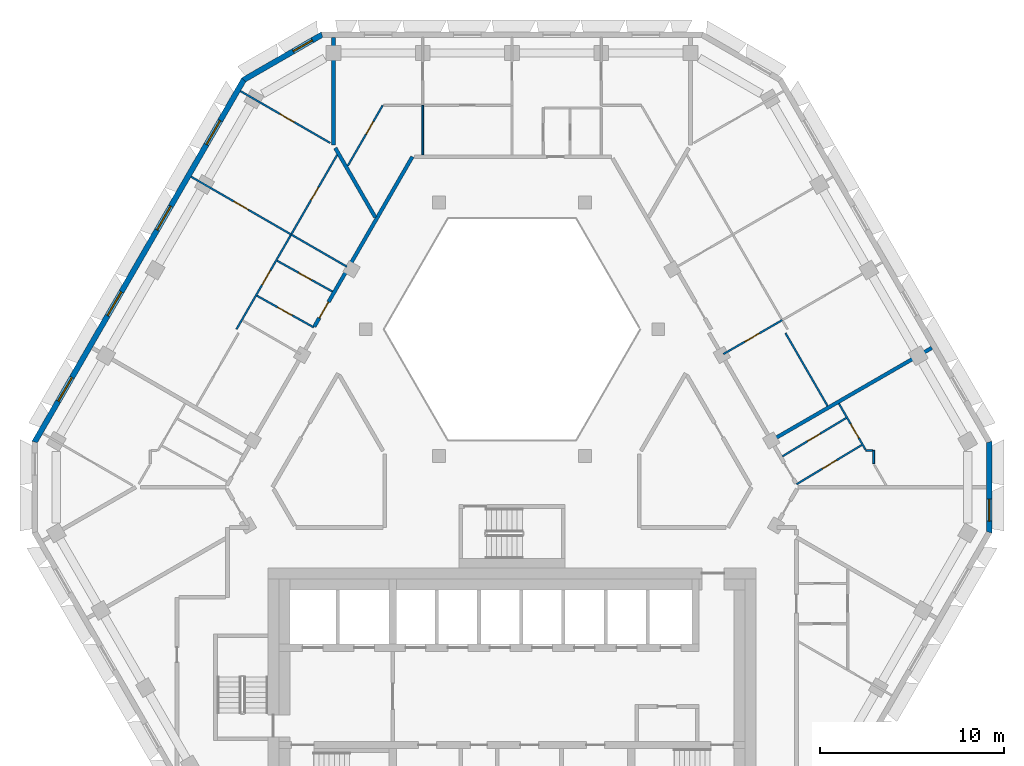
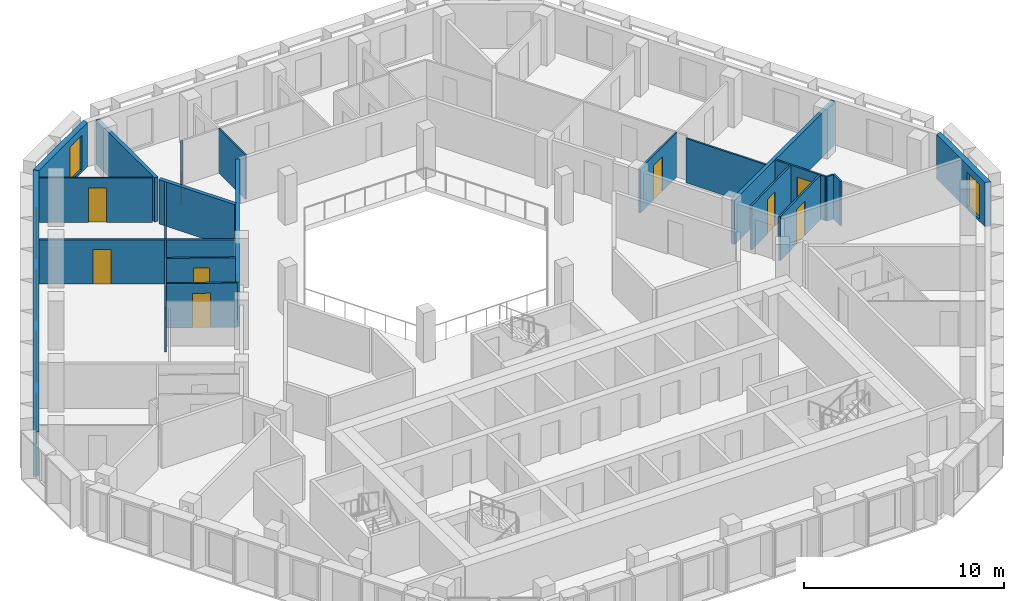
# One storey, part 6 of 15: 22 walls, 12 doors, 6 windows, 18 openings.
"""IFC4 building model written with IfcOpenShell, lengths in metres."""

from ifc_helpers import new_model, si_unit, direction, frame, frame_2d, origin, place, context, subcontext, project, spatial, polyline, rectangle, outline, extrude, material, layer, layer_set, type_object, element, fill, save


model = new_model("IFC4")

# Units and contexts
model_context = context("Model", 3, precision=1e-05, world=origin(), true_north=direction((0.0, 1.0)))
body_context = subcontext(model_context, "Body", "Model", "MODEL_VIEW")
ifc_project = project(units=[si_unit("LENGTHUNIT", "METRE"), si_unit("AREAUNIT", "SQUARE_METRE"), si_unit("VOLUMEUNIT", "CUBIC_METRE"), si_unit("PLANEANGLEUNIT", "RADIAN"), si_unit("MASSUNIT", "GRAM", prefix="KILO")], contexts=[model_context])

# Site, building, storey
site_placement = place(None, origin())
site = spatial("IfcSite", under=ifc_project, at=site_placement, CompositionType="ELEMENT")
building_placement = place(site_placement, origin())
building = spatial("IfcBuilding", under=site, at=building_placement, Name="Beryl Residences", CompositionType="ELEMENT")
storey_placement = place(building_placement, frame((0.0, 0.0, 187.199951171875)))
storey = spatial("IfcBuildingStorey", under=building, at=storey_placement, Name="L57", CompositionType="ELEMENT", Elevation=187.199951171875)

# Wall, opening, window
ifc_material_1 = material(Name="Composite metal panel with mineral wool insulation")
ifc_layer_1 = layer(ifc_material_1, 0.300048828125)
ifc_layer_set_1 = layer_set([ifc_layer_1], Name="ES1 pale metal composite panel wall 300 mm")
wall_type_1 = type_object("IfcWallType", Name="ES1 pale metal composite panel wall 300 mm", PredefinedType="SOLIDWALL", material=ifc_layer_set_1)
wall_1_placement = place(storey_placement, frame((-10.31689453125, 24.070068359375, 0.0), z_axis=(0.0, 0.0, 1.0), x_axis=(-0.866022959057, -0.500004234368, 0.0)))
wall_1 = element("IfcWall", 1, at=wall_1_placement, inside=storey, type_object=wall_type_1, Name="ES1 external wall L57 N-NW", PredefinedType="SOLIDWALL", context=body_context, shape_type="SweptSolid", body=[
    extrude(outline(polyline([(0.0, -0.14990234375), (5.0, -0.14990234375), (4.919677734375, 0.14990234375), (0.080322265625, 0.14990234375), (0.0, -0.14990234375)])), origin(), (0.0, 0.0, 1.0), 2.699951171875),
])
opening_1_placement = place(wall_1_placement, frame((0.64990234375, 0.0, 0.14990234375)))
opening_1 = element("IfcOpeningElement", 2, at=opening_1_placement, cuts=wall_1, Name="Opening W2", PredefinedType="OPENING", context=body_context, shape_type="SweptSolid", body=[
    extrude(rectangle(XDim=1.199951171875, YDim=2.10009765625, at=frame_2d((0.60009765625, 1.050048828125))), frame((0.0, 0.159912109375, 0.0), z_axis=(0.0, -1.0, 0.0), x_axis=(1.0, 0.0, 0.0)), (0.0, 0.0, 1.0), 0.320068359375),
])
ifc_material_2 = material(Name="Aluminium and clear glass", Category="aluminium")
window_type_1 = type_object("IfcWindowType", Name="W2 chamfer window 1200 x 2100 mm", PartitioningType="SINGLE_PANEL", PredefinedType="WINDOW", material=ifc_material_2)
window_1_placement = place(opening_1_placement, origin())
window_1 = element("IfcWindow", 3, at=window_1_placement, inside=storey, type_object=window_type_1, Name="W2 window L57 N-NW 1", OverallHeight=2.10009765625, OverallWidth=1.199951171875, PartitioningType="SINGLE_PANEL", PredefinedType="WINDOW", context=body_context, shape_type="SweptSolid", body=[
    extrude(rectangle(XDim=1.199951171875, YDim=2.10009765625, at=frame_2d((0.60009765625, 1.050048828125))), frame((0.0, 0.030029296875, 0.0), z_axis=(0.0, -1.0, 0.0), x_axis=(1.0, 0.0, 0.0)), (0.0, 0.0, 1.0), 0.06005859375),
])
fill(opening_1, window_1)

# Wall, openings, windows
wall_2_placement = place(storey_placement, frame((-14.592041015625, 21.625, 0.0), z_axis=(0.0, 0.0, 1.0), x_axis=(-0.500010537973, -0.866019319597, 0.0)))
wall_2 = element("IfcWall", 4, at=wall_2_placement, inside=storey, type_object=wall_type_1, Name="ES1 external wall L57 NW", PredefinedType="SOLIDWALL", context=body_context, shape_type="SweptSolid", body=[
    extrude(outline(polyline([(0.0, -0.14990234375), (22.86328125, -0.14990234375), (22.782958984375, 0.14990234375), (0.080322265625, 0.14990234375), (0.0, -0.14990234375)])), origin(), (0.0, 0.0, 1.0), 2.699951171875),
])
opening_2_placement = place(wall_2_placement, frame((2.60595703125, 0.0, 0.14990234375)))
opening_2 = element("IfcOpeningElement", 5, at=opening_2_placement, cuts=wall_2, Name="Opening W1", PredefinedType="OPENING", context=body_context, shape_type="SweptSolid", body=[
    extrude(rectangle(XDim=1.5, YDim=2.10009765625, at=frame_2d((0.75, 1.050048828125))), frame((0.0, 0.159912109375, 0.0), z_axis=(0.0, -1.0, 0.0), x_axis=(1.0, 0.0, 0.0)), (0.0, 0.0, 1.0), 0.320068359375),
])
opening_3_placement = place(wall_2_placement, frame((7.989990234375, 0.0, 0.14990234375)))
opening_3 = element("IfcOpeningElement", 6, at=opening_3_placement, cuts=wall_2, Name="Opening W1", PredefinedType="OPENING", context=body_context, shape_type="SweptSolid", body=[
    extrude(rectangle(XDim=1.5, YDim=2.10009765625, at=frame_2d((0.75, 1.050048828125))), frame((0.0, 0.159912109375, 0.0), z_axis=(0.0, -1.0, 0.0), x_axis=(1.0, 0.0, 0.0)), (0.0, 0.0, 1.0), 0.320068359375),
])
opening_4_placement = place(wall_2_placement, frame((13.373046875, 0.0, 0.14990234375)))
opening_4 = element("IfcOpeningElement", 7, at=opening_4_placement, cuts=wall_2, Name="Opening W1", PredefinedType="OPENING", context=body_context, shape_type="SweptSolid", body=[
    extrude(rectangle(XDim=1.5, YDim=2.10009765625, at=frame_2d((0.75, 1.050048828125))), frame((0.0, 0.159912109375, 0.0), z_axis=(0.0, -1.0, 0.0), x_axis=(1.0, 0.0, 0.0)), (0.0, 0.0, 1.0), 0.320068359375),
])
opening_5_placement = place(wall_2_placement, frame((18.758056640625, 0.0, 0.14990234375)))
opening_5 = element("IfcOpeningElement", 8, at=opening_5_placement, cuts=wall_2, Name="Opening W1", PredefinedType="OPENING", context=body_context, shape_type="SweptSolid", body=[
    extrude(rectangle(XDim=1.5, YDim=2.10009765625, at=frame_2d((0.75, 1.050048828125))), frame((0.0, 0.159912109375, 0.0), z_axis=(0.0, -1.0, 0.0), x_axis=(1.0, 0.0, 0.0)), (0.0, 0.0, 1.0), 0.320068359375),
])
ifc_material_3 = material(Name="Aluminium and clear glass", Category="aluminium")
window_type_2 = type_object("IfcWindowType", Name="W1 cell window 1500 x 2100 mm", PartitioningType="SINGLE_PANEL", PredefinedType="WINDOW", material=ifc_material_3)
window_2_placement = place(opening_2_placement, origin())
window_2 = element("IfcWindow", 9, at=window_2_placement, inside=storey, type_object=window_type_2, Name="W1 window L57 NW 2", OverallHeight=2.10009765625, OverallWidth=1.5, PartitioningType="SINGLE_PANEL", PredefinedType="WINDOW", context=body_context, shape_type="SweptSolid", body=[
    extrude(rectangle(XDim=1.5, YDim=2.10009765625, at=frame_2d((0.75, 1.050048828125))), frame((0.0, 0.030029296875, 0.0), z_axis=(0.0, -1.0, 0.0), x_axis=(1.0, 0.0, 0.0)), (0.0, 0.0, 1.0), 0.06005859375),
])
fill(opening_2, window_2)
window_3_placement = place(opening_3_placement, origin())
window_3 = element("IfcWindow", 10, at=window_3_placement, inside=storey, type_object=window_type_2, Name="W1 window L57 NW 4", OverallHeight=2.10009765625, OverallWidth=1.5, PartitioningType="SINGLE_PANEL", PredefinedType="WINDOW", context=body_context, shape_type="SweptSolid", body=[
    extrude(rectangle(XDim=1.5, YDim=2.10009765625, at=frame_2d((0.75, 1.050048828125))), frame((0.0, 0.030029296875, 0.0), z_axis=(0.0, -1.0, 0.0), x_axis=(1.0, 0.0, 0.0)), (0.0, 0.0, 1.0), 0.06005859375),
])
fill(opening_3, window_3)
window_4_placement = place(opening_4_placement, origin())
window_4 = element("IfcWindow", 11, at=window_4_placement, inside=storey, type_object=window_type_2, Name="W1 window L57 NW 6", OverallHeight=2.10009765625, OverallWidth=1.5, PartitioningType="SINGLE_PANEL", PredefinedType="WINDOW", context=body_context, shape_type="SweptSolid", body=[
    extrude(rectangle(XDim=1.5, YDim=2.10009765625, at=frame_2d((0.75, 1.050048828125))), frame((0.0, 0.030029296875, 0.0), z_axis=(0.0, -1.0, 0.0), x_axis=(1.0, 0.0, 0.0)), (0.0, 0.0, 1.0), 0.06005859375),
])
fill(opening_4, window_4)
window_5_placement = place(opening_5_placement, origin())
window_5 = element("IfcWindow", 12, at=window_5_placement, inside=storey, type_object=window_type_2, Name="W1 window L57 NW 8", OverallHeight=2.10009765625, OverallWidth=1.5, PartitioningType="SINGLE_PANEL", PredefinedType="WINDOW", context=body_context, shape_type="SweptSolid", body=[
    extrude(rectangle(XDim=1.5, YDim=2.10009765625, at=frame_2d((0.75, 1.050048828125))), frame((0.0, 0.030029296875, 0.0), z_axis=(0.0, -1.0, 0.0), x_axis=(1.0, 0.0, 0.0)), (0.0, 0.0, 1.0), 0.06005859375),
])
fill(opening_5, window_5)

# Wall, opening, window
wall_3_placement = place(storey_placement, frame((26.00390625, -3.10009765625, 0.0), z_axis=(0.0, 0.0, 1.0), x_axis=(0.0, 1.0, 0.0)))
wall_3 = element("IfcWall", 13, at=wall_3_placement, inside=storey, type_object=wall_type_1, Name="ES1 external wall L57 SE-NE", PredefinedType="SOLIDWALL", context=body_context, shape_type="SweptSolid", body=[
    extrude(outline(polyline([(0.0, -0.14990234375), (5.0, -0.14990234375), (4.919677734375, 0.14990234375), (0.080322265625, 0.14990234375), (0.0, -0.14990234375)])), origin(), (0.0, 0.0, 1.0), 2.699951171875),
])
opening_6_placement = place(wall_3_placement, frame((0.64990234375, 0.0, 0.14990234375)))
opening_6 = element("IfcOpeningElement", 14, at=opening_6_placement, cuts=wall_3, Name="Opening W2", PredefinedType="OPENING", context=body_context, shape_type="SweptSolid", body=[
    extrude(rectangle(XDim=1.199951171875, YDim=2.10009765625, at=frame_2d((0.60009765625, 1.050048828125))), frame((0.0, 0.159912109375, 0.0), z_axis=(0.0, -1.0, 0.0), x_axis=(1.0, 0.0, 0.0)), (0.0, 0.0, 1.0), 0.320068359375),
])
window_6_placement = place(opening_6_placement, origin())
window_6 = element("IfcWindow", 15, at=window_6_placement, inside=storey, type_object=window_type_1, Name="W2 window L57 SE-NE 1", OverallHeight=2.10009765625, OverallWidth=1.199951171875, PartitioningType="SINGLE_PANEL", PredefinedType="WINDOW", context=body_context, shape_type="SweptSolid", body=[
    extrude(rectangle(XDim=1.199951171875, YDim=2.10009765625, at=frame_2d((0.60009765625, 1.050048828125))), frame((0.0, 0.030029296875, 0.0), z_axis=(0.0, -1.0, 0.0), x_axis=(1.0, 0.0, 0.0)), (0.0, 0.0, 1.0), 0.06005859375),
])
fill(opening_6, window_6)

# Wall
ifc_material_4 = material(Name="Gypsum board partition on steel studs", Category="steel")
ifc_layer_2 = layer(ifc_material_4, 0.10009765625)
ifc_layer_set_2 = layer_set([ifc_layer_2], Name="PT1 partition 100 mm gypsum board on steel studs")
wall_type_2 = type_object("IfcWallType", Name="PT1 partition 100 mm gypsum board on steel studs", PredefinedType="PARTITIONING", material=ifc_layer_set_2)
wall_4_placement = place(storey_placement, frame((14.89501953125, 7.800048828125, 0.0), z_axis=(0.0, 0.0, 1.0), x_axis=(0.500050787847, -0.865996079421, 0.0)))
element("IfcWall", 16, at=wall_4_placement, inside=storey, type_object=wall_type_2, Name="Wall PT1 L57 002", PredefinedType="PARTITIONING", context=body_context, shape_type="SweptSolid", body=[
    extrude(rectangle(XDim=4.59130859375, YDim=0.10009765625, at=frame_2d((2.295654296875, 0.0))), origin(), (0.0, 0.0, 1.0), 2.699951171875),
])

# Wall, opening, door
wall_5_placement = place(storey_placement, frame((17.81103515625, 3.950927734375, 0.0), z_axis=(0.0, 0.0, 1.0), x_axis=(0.499976149225, -0.866039173598, 0.0)))
wall_5 = element("IfcWall", 17, at=wall_5_placement, inside=storey, type_object=wall_type_2, Name="Wall PT1 L57 004", PredefinedType="PARTITIONING", context=body_context, shape_type="SweptSolid", body=[
    extrude(rectangle(XDim=2.887939453125, YDim=0.10009765625, at=frame_2d((1.44384765625, 0.0))), origin(), (0.0, 0.0, 1.0), 2.699951171875),
])
opening_7_placement = place(wall_5_placement, frame((1.27587890625, 0.0, 0.0)))
opening_7 = element("IfcOpeningElement", 18, at=opening_7_placement, cuts=wall_5, Name="Opening D1741", PredefinedType="OPENING", context=body_context, shape_type="SweptSolid", body=[
    extrude(rectangle(XDim=0.89990234375, YDim=2.10009765625, at=frame_2d((0.449951171875, 1.050048828125))), frame((0.0, 0.06005859375, 0.0), z_axis=(0.0, -1.0, 0.0), x_axis=(1.0, 0.0, 0.0)), (0.0, 0.0, 1.0), 0.1201171875),
])
ifc_material_5 = material(Name="Timber door leaf", Category="wood")
door_type_1 = type_object("IfcDoorType", Name="D2 room door 900 x 2100 mm", OperationType="SINGLE_SWING_LEFT", PredefinedType="DOOR", material=ifc_material_5)
door_1_placement = place(opening_7_placement, origin())
door_1 = element("IfcDoor", 19, at=door_1_placement, inside=storey, type_object=door_type_1, Name="Door D1741 L57 001", OperationType="SINGLE_SWING_LEFT", OverallHeight=2.10009765625, OverallWidth=0.89990234375, PredefinedType="DOOR", context=body_context, shape_type="SweptSolid", body=[
    extrude(rectangle(XDim=0.89990234375, YDim=2.10009765625, at=frame_2d((0.449951171875, 1.050048828125))), frame((0.0, 0.02490234375, 0.0), z_axis=(0.0, -1.0, 0.0), x_axis=(1.0, 0.0, 0.0)), (0.0, 0.0, 1.0), 0.050048828125),
])
fill(opening_7, door_1)

wall_6_placement = place(storey_placement, frame((-12.798095703125, 11.735107421875, 0.0), z_axis=(0.0, 0.0, 1.0), x_axis=(0.873649600774, -0.486555623816, 0.0)))
wall_6 = element("IfcWall", 20, at=wall_6_placement, inside=storey, type_object=wall_type_2, Name="Wall PT1 L57 010", PredefinedType="PARTITIONING", context=body_context, shape_type="SweptSolid", body=[
    extrude(rectangle(XDim=3.451171875, YDim=0.10009765625, at=frame_2d((1.7255859375, 0.0))), origin(), (0.0, 0.0, 1.0), 2.699951171875),
])
opening_8_placement = place(wall_6_placement, frame((1.35009765625, 0.0, 0.0)))
opening_8 = element("IfcOpeningElement", 21, at=opening_8_placement, cuts=wall_6, Name="Opening D1718", PredefinedType="OPENING", context=body_context, shape_type="SweptSolid", body=[
    extrude(rectangle(XDim=0.800048828125, YDim=2.10009765625, at=frame_2d((0.39990234375, 1.050048828125))), frame((0.0, 0.06005859375, 0.0), z_axis=(0.0, -1.0, 0.0), x_axis=(1.0, 0.0, 0.0)), (0.0, 0.0, 1.0), 0.1201171875),
])
ifc_material_6 = material(Name="Timber door leaf", Category="wood")
door_type_2 = type_object("IfcDoorType", Name="D3 bathroom door 800 x 2100 mm", OperationType="SINGLE_SWING_LEFT", PredefinedType="DOOR", material=ifc_material_6)
door_2_placement = place(opening_8_placement, origin())
door_2 = element("IfcDoor", 22, at=door_2_placement, inside=storey, type_object=door_type_2, Name="Door D1718 L57 001", OperationType="SINGLE_SWING_RIGHT", OverallHeight=2.10009765625, OverallWidth=0.800048828125, PredefinedType="DOOR", context=body_context, shape_type="SweptSolid", body=[
    extrude(rectangle(XDim=0.800048828125, YDim=2.10009765625, at=frame_2d((0.39990234375, 1.050048828125))), frame((0.0, 0.02490234375, 0.0), z_axis=(0.0, -1.0, 0.0), x_axis=(1.0, 0.0, 0.0)), (0.0, 0.0, 1.0), 0.050048828125),
])
fill(opening_8, door_2)

wall_7_placement = place(storey_placement, frame((-13.89794921875, 9.8291015625, 0.0), z_axis=(0.0, 0.0, 1.0), x_axis=(0.873715787747, -0.486436760784, 0.0)))
wall_7 = element("IfcWall", 23, at=wall_7_placement, inside=storey, type_object=wall_type_2, Name="Wall PT1 L57 011", PredefinedType="PARTITIONING", context=body_context, shape_type="SweptSolid", body=[
    extrude(rectangle(XDim=3.55029296875, YDim=0.10009765625, at=frame_2d((1.775146484375, 0.0))), origin(), (0.0, 0.0, 1.0), 2.699951171875),
])
opening_9_placement = place(wall_7_placement, frame((1.300048828125, 0.0, 0.0)))
opening_9 = element("IfcOpeningElement", 24, at=opening_9_placement, cuts=wall_7, Name="Opening D1719", PredefinedType="OPENING", context=body_context, shape_type="SweptSolid", body=[
    extrude(rectangle(XDim=0.89990234375, YDim=2.10009765625, at=frame_2d((0.449951171875, 1.050048828125))), frame((0.0, 0.06005859375, 0.0), z_axis=(0.0, -1.0, 0.0), x_axis=(1.0, 0.0, 0.0)), (0.0, 0.0, 1.0), 0.1201171875),
])
door_3_placement = place(opening_9_placement, origin())
door_3 = element("IfcDoor", 25, at=door_3_placement, inside=storey, type_object=door_type_1, Name="Door D1719 L57 001", OperationType="SINGLE_SWING_LEFT", OverallHeight=2.10009765625, OverallWidth=0.89990234375, PredefinedType="DOOR", context=body_context, shape_type="SweptSolid", body=[
    extrude(rectangle(XDim=0.89990234375, YDim=2.10009765625, at=frame_2d((0.449951171875, 1.050048828125))), frame((0.0, 0.02490234375, 0.0), z_axis=(0.0, -1.0, 0.0), x_axis=(1.0, 0.0, 0.0)), (0.0, 0.0, 1.0), 0.050048828125),
])
fill(opening_9, door_3)

wall_8_placement = place(storey_placement, frame((-17.486083984375, 16.31298828125, 0.0), z_axis=(0.0, 0.0, 1.0), x_axis=(0.865997114097, -0.500048995975, 0.0)))
wall_8 = element("IfcWall", 26, at=wall_8_placement, inside=storey, type_object=wall_type_2, Name="Wall PT1 L57 015", PredefinedType="PARTITIONING", context=body_context, shape_type="SweptSolid", body=[
    extrude(rectangle(XDim=6.299072265625, YDim=0.10009765625, at=frame_2d((3.1494140625, 0.0))), origin(), (0.0, 0.0, 1.0), 2.699951171875),
])
opening_10_placement = place(wall_8_placement, frame((2.698974609375, 0.0, 0.0)))
opening_10 = element("IfcOpeningElement", 27, at=opening_10_placement, cuts=wall_8, Name="Opening D1721", PredefinedType="OPENING", context=body_context, shape_type="SweptSolid", body=[
    extrude(rectangle(XDim=0.89990234375, YDim=2.10009765625, at=frame_2d((0.449951171875, 1.050048828125))), frame((0.0, 0.06005859375, 0.0), z_axis=(0.0, -1.0, 0.0), x_axis=(1.0, 0.0, 0.0)), (0.0, 0.0, 1.0), 0.1201171875),
])
door_4_placement = place(opening_10_placement, origin())
door_4 = element("IfcDoor", 28, at=door_4_placement, inside=storey, type_object=door_type_1, Name="Door D1721 L57 001", OperationType="SINGLE_SWING_LEFT", OverallHeight=2.10009765625, OverallWidth=0.89990234375, PredefinedType="DOOR", context=body_context, shape_type="SweptSolid", body=[
    extrude(rectangle(XDim=0.89990234375, YDim=2.10009765625, at=frame_2d((0.449951171875, 1.050048828125))), frame((0.0, 0.02490234375, 0.0), z_axis=(0.0, -1.0, 0.0), x_axis=(1.0, 0.0, 0.0)), (0.0, 0.0, 1.0), 0.050048828125),
])
fill(opening_10, door_4)

wall_9_placement = place(storey_placement, frame((-14.7939453125, 20.97509765625, 0.0), z_axis=(0.0, 0.0, 1.0), x_axis=(0.866011447264, -0.500024172624, 0.0)))
wall_9 = element("IfcWall", 29, at=wall_9_placement, inside=storey, type_object=wall_type_2, Name="Wall PT1 L57 016", PredefinedType="PARTITIONING", context=body_context, shape_type="SweptSolid", body=[
    extrude(rectangle(XDim=5.650146484375, YDim=0.10009765625, at=frame_2d((2.8251953125, 0.0))), origin(), (0.0, 0.0, 1.0), 2.699951171875),
])
opening_11_placement = place(wall_9_placement, frame((2.47509765625, 0.0, 0.0)))
opening_11 = element("IfcOpeningElement", 30, at=opening_11_placement, cuts=wall_9, Name="Opening D1723", PredefinedType="OPENING", context=body_context, shape_type="SweptSolid", body=[
    extrude(rectangle(XDim=0.89990234375, YDim=2.10009765625, at=frame_2d((0.449951171875, 1.050048828125))), frame((0.0, 0.06005859375, 0.0), z_axis=(0.0, -1.0, 0.0), x_axis=(1.0, 0.0, 0.0)), (0.0, 0.0, 1.0), 0.1201171875),
])
door_5_placement = place(opening_11_placement, origin())
door_5 = element("IfcDoor", 31, at=door_5_placement, inside=storey, type_object=door_type_1, Name="Door D1723 L57 001", OperationType="SINGLE_SWING_LEFT", OverallHeight=2.10009765625, OverallWidth=0.89990234375, PredefinedType="DOOR", context=body_context, shape_type="SweptSolid", body=[
    extrude(rectangle(XDim=0.89990234375, YDim=2.10009765625, at=frame_2d((0.449951171875, 1.050048828125))), frame((0.0, 0.02490234375, 0.0), z_axis=(0.0, -1.0, 0.0), x_axis=(1.0, 0.0, 0.0)), (0.0, 0.0, 1.0), 0.050048828125),
])
fill(opening_11, door_5)

# Wall
wall_10_placement = place(storey_placement, frame((19.283935546875, 1.39990234375, 0.0), z_axis=(0.0, 0.0, 1.0), x_axis=(1.0, 0.0, 0.0)))
element("IfcWall", 32, at=wall_10_placement, inside=storey, type_object=wall_type_2, Name="Wall PT1 L57 020", PredefinedType="PARTITIONING", context=body_context, shape_type="SweptSolid", body=[
    extrude(rectangle(XDim=0.365966796875, YDim=0.10009765625, at=frame_2d((0.18310546875, 0.0))), origin(), (0.0, 0.0, 1.0), 2.699951171875),
])

# Wall, opening, door
wall_11_placement = place(storey_placement, frame((-8.948974609375, 16.89990234375, 0.0), z_axis=(0.0, 0.0, 1.0), x_axis=(0.499949850951, 0.866054355415, 0.0)))
wall_11 = element("IfcWall", 33, at=wall_11_placement, inside=storey, type_object=wall_type_2, Name="Wall PT1 L57 024", PredefinedType="PARTITIONING", context=body_context, shape_type="SweptSolid", body=[
    extrude(rectangle(XDim=3.810546875, YDim=0.10009765625, at=frame_2d((1.9052734375, 0.0))), origin(), (0.0, 0.0, 1.0), 2.699951171875),
])
opening_12_placement = place(wall_11_placement, frame((1.991943359375, 0.0, 0.0)))
opening_12 = element("IfcOpeningElement", 34, at=opening_12_placement, cuts=wall_11, Name="Opening D1716", PredefinedType="OPENING", context=body_context, shape_type="SweptSolid", body=[
    extrude(rectangle(XDim=0.800048828125, YDim=2.10009765625, at=frame_2d((0.39990234375, 1.050048828125))), frame((0.0, 0.06005859375, 0.0), z_axis=(0.0, -1.0, 0.0), x_axis=(1.0, 0.0, 0.0)), (0.0, 0.0, 1.0), 0.1201171875),
])
door_6_placement = place(opening_12_placement, origin())
door_6 = element("IfcDoor", 35, at=door_6_placement, inside=storey, type_object=door_type_2, Name="Door D1716 L57 001", OperationType="SINGLE_SWING_RIGHT", OverallHeight=2.10009765625, OverallWidth=0.800048828125, PredefinedType="DOOR", context=body_context, shape_type="SweptSolid", body=[
    extrude(rectangle(XDim=0.800048828125, YDim=2.10009765625, at=frame_2d((0.39990234375, 1.050048828125))), frame((0.0, 0.02490234375, 0.0), z_axis=(0.0, -1.0, 0.0), x_axis=(1.0, 0.0, 0.0)), (0.0, 0.0, 1.0), 0.050048828125),
])
fill(opening_12, door_6)

# Wall, openings, doors
wall_12_placement = place(storey_placement, frame((-15.011962890625, 8.0, 0.0), z_axis=(0.0, 0.0, 1.0), x_axis=(0.500047346826, 0.865998066356, 0.0)))
wall_12 = element("IfcWall", 36, at=wall_12_placement, inside=storey, type_object=wall_type_2, Name="Wall PT1 L57 026", PredefinedType="PARTITIONING", context=body_context, shape_type="SweptSolid", body=[
    extrude(rectangle(XDim=10.97119140625, YDim=0.10009765625, at=frame_2d((5.485595703125, 0.0))), origin(), (0.0, 0.0, 1.0), 2.699951171875),
])
opening_13_placement = place(wall_12_placement, frame((2.791015625, 0.0, 0.0)))
opening_13 = element("IfcOpeningElement", 37, at=opening_13_placement, cuts=wall_12, Name="Opening D1720", PredefinedType="OPENING", context=body_context, shape_type="SweptSolid", body=[
    extrude(rectangle(XDim=0.89990234375, YDim=2.10009765625, at=frame_2d((0.449951171875, 1.050048828125))), frame((0.0, 0.06005859375, 0.0), z_axis=(0.0, -1.0, 0.0), x_axis=(1.0, 0.0, 0.0)), (0.0, 0.0, 1.0), 0.1201171875),
])
opening_14_placement = place(wall_12_placement, frame((8.1240234375, 0.0, 0.0)))
opening_14 = element("IfcOpeningElement", 38, at=opening_14_placement, cuts=wall_12, Name="Opening D1724", PredefinedType="OPENING", context=body_context, shape_type="SweptSolid", body=[
    extrude(rectangle(XDim=0.800048828125, YDim=2.10009765625, at=frame_2d((0.39990234375, 1.050048828125))), frame((0.0, 0.06005859375, 0.0), z_axis=(0.0, -1.0, 0.0), x_axis=(1.0, 0.0, 0.0)), (0.0, 0.0, 1.0), 0.1201171875),
])
door_7_placement = place(opening_13_placement, origin())
door_7 = element("IfcDoor", 39, at=door_7_placement, inside=storey, type_object=door_type_1, Name="Door D1720 L57 001", OperationType="SINGLE_SWING_RIGHT", OverallHeight=2.10009765625, OverallWidth=0.89990234375, PredefinedType="DOOR", context=body_context, shape_type="SweptSolid", body=[
    extrude(rectangle(XDim=0.89990234375, YDim=2.10009765625, at=frame_2d((0.449951171875, 1.050048828125))), frame((0.0, 0.02490234375, 0.0), z_axis=(0.0, -1.0, 0.0), x_axis=(1.0, 0.0, 0.0)), (0.0, 0.0, 1.0), 0.050048828125),
])
fill(opening_13, door_7)
door_8_placement = place(opening_14_placement, origin())
door_8 = element("IfcDoor", 40, at=door_8_placement, inside=storey, type_object=door_type_2, Name="Door D1724 L57 001", OperationType="SINGLE_SWING_RIGHT", OverallHeight=2.10009765625, OverallWidth=0.800048828125, PredefinedType="DOOR", context=body_context, shape_type="SweptSolid", body=[
    extrude(rectangle(XDim=0.800048828125, YDim=2.10009765625, at=frame_2d((0.39990234375, 1.050048828125))), frame((0.0, 0.02490234375, 0.0), z_axis=(0.0, -1.0, 0.0), x_axis=(1.0, 0.0, 0.0)), (0.0, 0.0, 1.0), 0.050048828125),
])
fill(opening_14, door_8)

# Walls
wall_13_placement = place(storey_placement, frame((19.699951171875, 0.678955078125, 0.0), z_axis=(0.0, 0.0, 1.0), x_axis=(0.0, 1.0, 0.0)))
element("IfcWall", 41, at=wall_13_placement, inside=storey, type_object=wall_type_2, Name="Wall PT1 L57 033", PredefinedType="PARTITIONING", context=body_context, shape_type="SweptSolid", body=[
    extrude(rectangle(XDim=0.720947265625, YDim=0.10009765625, at=frame_2d((0.3603515625, 0.0))), origin(), (0.0, 0.0, 1.0), 2.699951171875),
])
wall_14_placement = place(storey_placement, frame((-4.864013671875, 17.5, 0.0), z_axis=(0.0, 0.0, 1.0), x_axis=(0.0, 1.0, 0.0)))
element("IfcWall", 42, at=wall_14_placement, inside=storey, type_object=wall_type_2, Name="Wall PT1 L57 035", PredefinedType="PARTITIONING", context=body_context, shape_type="SweptSolid", body=[
    extrude(rectangle(XDim=2.699951171875, YDim=0.10009765625, at=frame_2d((1.35009765625, 0.0))), origin(), (0.0, 0.0, 1.0), 2.699951171875),
])

# Wall, opening, door
wall_15_placement = place(storey_placement, frame((11.51806640625, 6.64990234375, 0.0), z_axis=(0.0, 0.0, 1.0), x_axis=(0.865984470368, 0.500070892056, 0.0)))
wall_15 = element("IfcWall", 43, at=wall_15_placement, inside=storey, type_object=wall_type_2, Name="Wall PT1 L57 037", PredefinedType="PARTITIONING", context=body_context, shape_type="SweptSolid", body=[
    extrude(rectangle(XDim=3.69970703125, YDim=0.10009765625, at=frame_2d((1.849853515625, 0.0))), origin(), (0.0, 0.0, 1.0), 2.699951171875),
])
opening_15_placement = place(wall_15_placement, frame((1.35009765625, 0.0, 0.0)))
opening_15 = element("IfcOpeningElement", 44, at=opening_15_placement, cuts=wall_15, Name="Opening D1703", PredefinedType="OPENING", context=body_context, shape_type="SweptSolid", body=[
    extrude(rectangle(XDim=0.89990234375, YDim=2.10009765625, at=frame_2d((0.449951171875, 1.050048828125))), frame((0.0, 0.06005859375, 0.0), z_axis=(0.0, -1.0, 0.0), x_axis=(1.0, 0.0, 0.0)), (0.0, 0.0, 1.0), 0.1201171875),
])
door_9_placement = place(opening_15_placement, origin())
door_9 = element("IfcDoor", 45, at=door_9_placement, inside=storey, type_object=door_type_1, Name="Door D1703 L57 001", OperationType="SINGLE_SWING_LEFT", OverallHeight=2.10009765625, OverallWidth=0.89990234375, PredefinedType="DOOR", context=body_context, shape_type="SweptSolid", body=[
    extrude(rectangle(XDim=0.89990234375, YDim=2.10009765625, at=frame_2d((0.449951171875, 1.050048828125))), frame((0.0, 0.02490234375, 0.0), z_axis=(0.0, -1.0, 0.0), x_axis=(1.0, 0.0, 0.0)), (0.0, 0.0, 1.0), 0.050048828125),
])
fill(opening_15, door_9)

wall_16_placement = place(storey_placement, frame((14.73388671875, 1.080078125, 0.0), z_axis=(0.0, 0.0, 1.0), x_axis=(0.857205608004, 0.514974315482, 0.0)))
wall_16 = element("IfcWall", 46, at=wall_16_placement, inside=storey, type_object=wall_type_2, Name="Wall PT1 L57 040", PredefinedType="PARTITIONING", context=body_context, shape_type="SweptSolid", body=[
    extrude(rectangle(XDim=4.050537109375, YDim=0.10009765625, at=frame_2d((2.025390625, 0.0))), origin(), (0.0, 0.0, 1.0), 2.699951171875),
])
opening_16_placement = place(wall_16_placement, frame((1.60009765625, 0.0, 0.0)))
opening_16 = element("IfcOpeningElement", 47, at=opening_16_placement, cuts=wall_16, Name="Opening D1739", PredefinedType="OPENING", context=body_context, shape_type="SweptSolid", body=[
    extrude(rectangle(XDim=0.800048828125, YDim=2.10009765625, at=frame_2d((0.39990234375, 1.050048828125))), frame((0.0, 0.06005859375, 0.0), z_axis=(0.0, -1.0, 0.0), x_axis=(1.0, 0.0, 0.0)), (0.0, 0.0, 1.0), 0.1201171875),
])
door_10_placement = place(opening_16_placement, origin())
door_10 = element("IfcDoor", 48, at=door_10_placement, inside=storey, type_object=door_type_2, Name="Door D1739 L57 001", OperationType="SINGLE_SWING_LEFT", OverallHeight=2.10009765625, OverallWidth=0.800048828125, PredefinedType="DOOR", context=body_context, shape_type="SweptSolid", body=[
    extrude(rectangle(XDim=0.800048828125, YDim=2.10009765625, at=frame_2d((0.39990234375, 1.050048828125))), frame((0.0, 0.02490234375, 0.0), z_axis=(0.0, -1.0, 0.0), x_axis=(1.0, 0.0, 0.0)), (0.0, 0.0, 1.0), 0.050048828125),
])
fill(opening_16, door_10)

wall_17_placement = place(storey_placement, frame((15.4990234375, -0.444091796875, 0.0), z_axis=(0.0, 0.0, 1.0), x_axis=(0.857061798163, 0.515213619899, 0.0)))
wall_17 = element("IfcWall", 49, at=wall_17_placement, inside=storey, type_object=wall_type_2, Name="Wall PT1 L57 041", PredefinedType="PARTITIONING", context=body_context, shape_type="SweptSolid", body=[
    extrude(rectangle(XDim=4.150146484375, YDim=0.10009765625, at=frame_2d((2.0751953125, 0.0))), origin(), (0.0, 0.0, 1.0), 2.699951171875),
])
opening_17_placement = place(wall_17_placement, frame((1.64990234375, 0.0, 0.0)))
opening_17 = element("IfcOpeningElement", 50, at=opening_17_placement, cuts=wall_17, Name="Opening D1740", PredefinedType="OPENING", context=body_context, shape_type="SweptSolid", body=[
    extrude(rectangle(XDim=0.89990234375, YDim=2.10009765625, at=frame_2d((0.449951171875, 1.050048828125))), frame((0.0, 0.06005859375, 0.0), z_axis=(0.0, -1.0, 0.0), x_axis=(1.0, 0.0, 0.0)), (0.0, 0.0, 1.0), 0.1201171875),
])
door_11_placement = place(opening_17_placement, origin())
door_11 = element("IfcDoor", 51, at=door_11_placement, inside=storey, type_object=door_type_1, Name="Door D1740 L57 001", OperationType="SINGLE_SWING_RIGHT", OverallHeight=2.10009765625, OverallWidth=0.89990234375, PredefinedType="DOOR", context=body_context, shape_type="SweptSolid", body=[
    extrude(rectangle(XDim=0.89990234375, YDim=2.10009765625, at=frame_2d((0.449951171875, 1.050048828125))), frame((0.0, 0.02490234375, 0.0), z_axis=(0.0, -1.0, 0.0), x_axis=(1.0, 0.0, 0.0)), (0.0, 0.0, 1.0), 0.050048828125),
])
fill(opening_17, door_11)

# Walls
wall_18_placement = place(storey_placement, frame((-12.031005859375, 13.1630859375, 0.0), z_axis=(0.0, 0.0, 1.0), x_axis=(0.86608920467, -0.499889477339, 0.0)))
element("IfcWall", 52, at=wall_18_placement, inside=storey, type_object=wall_type_2, Name="Wall PT1 L57 044", PredefinedType="PARTITIONING", context=body_context, shape_type="SweptSolid", body=[
    extrude(rectangle(XDim=3.500732421875, YDim=0.10009765625, at=frame_2d((1.75048828125, 0.0))), origin(), (0.0, 0.0, 1.0), 2.699951171875),
])
ifc_material_7 = material(Name="Acoustic double stud gypsum board wall")
ifc_layer_3 = layer(ifc_material_7, 0.199951171875)
ifc_layer_set_3 = layer_set([ifc_layer_3], Name="PT3 party wall 200 mm acoustic double stud")
wall_type_3 = type_object("IfcWallType", Name="PT3 party wall 200 mm acoustic double stud", PredefinedType="PARTITIONING", material=ifc_layer_set_3)
wall_19_placement = place(storey_placement, frame((-9.6279296875, 17.876953125, 0.0), z_axis=(0.0, 0.0, 1.0), x_axis=(0.499890461358, -0.866088636713, 0.0)))
element("IfcWall", 53, at=wall_19_placement, inside=storey, type_object=wall_type_3, Name="Wall PT3 L57 001", PredefinedType="PARTITIONING", context=body_context, shape_type="SweptSolid", body=[
    extrude(rectangle(XDim=4.36083984375, YDim=0.199951171875, at=frame_2d((2.180419921875, 0.0))), origin(), (0.0, 0.0, 1.0), 2.699951171875),
])
wall_20_placement = place(storey_placement, frame((-9.72802734375, 18.050048828125, 0.0), z_axis=(0.0, 0.0, 1.0), x_axis=(0.0, 1.0, 0.0)))
element("IfcWall", 54, at=wall_20_placement, inside=storey, type_object=wall_type_3, Name="Wall PT3 L57 009", PredefinedType="PARTITIONING", context=body_context, shape_type="SweptSolid", body=[
    extrude(rectangle(XDim=5.849853515625, YDim=0.199951171875, at=frame_2d((2.9248046875, 0.0))), origin(), (0.0, 0.0, 1.0), 2.699951171875),
])
wall_21_placement = place(storey_placement, frame((14.2099609375, 1.987060546875, 0.0), z_axis=(0.0, 0.0, 1.0), x_axis=(0.866022959057, 0.500004234368, 0.0)))
element("IfcWall", 55, at=wall_21_placement, inside=storey, type_object=wall_type_3, Name="Wall PT3 L57 010", PredefinedType="PARTITIONING", context=body_context, shape_type="SweptSolid", body=[
    extrude(rectangle(XDim=10.0, YDim=0.199951171875, at=frame_2d((5.0, 0.0))), origin(), (0.0, 0.0, 1.0), 2.699951171875),
])

# Wall, opening, door
ifc_material_8 = material(Name="Double stud gypsum board wall")
ifc_layer_4 = layer(ifc_material_8, 0.199951171875)
ifc_layer_set_4 = layer_set([ifc_layer_4], Name="PT4 corridor wall 200 mm double stud")
wall_type_4 = type_object("IfcWallType", Name="PT4 corridor wall 200 mm double stud", PredefinedType="PARTITIONING", material=ifc_layer_set_4)
wall_22_placement = place(storey_placement, frame((-10.77099609375, 8.14501953125, 0.0), z_axis=(0.0, 0.0, 1.0), x_axis=(0.500048075867, 0.865997645391, 0.0)))
wall_22 = element("IfcWall", 56, at=wall_22_placement, inside=storey, type_object=wall_type_4, Name="Wall PT4 L57 020", PredefinedType="PARTITIONING", context=body_context, shape_type="SweptSolid", body=[
    extrude(rectangle(XDim=10.68701171875, YDim=0.199951171875, at=frame_2d((5.343505859375, 0.0))), origin(), (0.0, 0.0, 1.0), 2.699951171875),
])
opening_18_placement = place(wall_22_placement, frame((0.549072265625, 0.0, 0.0)))
opening_18 = element("IfcOpeningElement", 57, at=opening_18_placement, cuts=wall_22, Name="Opening D1717", PredefinedType="OPENING", context=body_context, shape_type="SweptSolid", body=[
    extrude(rectangle(XDim=1.0, YDim=2.10009765625, at=frame_2d((0.5, 1.050048828125))), frame((0.0, 0.10986328125, 0.0), z_axis=(0.0, -1.0, 0.0), x_axis=(1.0, 0.0, 0.0)), (0.0, 0.0, 1.0), 0.219970703125),
])
ifc_material_9 = material(Name="Timber door leaf", Category="wood")
door_type_3 = type_object("IfcDoorType", Name="D1 flat entrance door 1000 x 2100 mm", OperationType="SINGLE_SWING_LEFT", PredefinedType="DOOR", material=ifc_material_9)
door_12_placement = place(opening_18_placement, origin())
door_12 = element("IfcDoor", 58, at=door_12_placement, inside=storey, type_object=door_type_3, Name="Door D1717 L57 001", OperationType="SINGLE_SWING_LEFT", OverallHeight=2.10009765625, OverallWidth=1.0, PredefinedType="DOOR", context=body_context, shape_type="SweptSolid", body=[
    extrude(rectangle(XDim=1.0, YDim=2.10009765625, at=frame_2d((0.5, 1.050048828125))), frame((0.0, 0.02490234375, 0.0), z_axis=(0.0, -1.0, 0.0), x_axis=(1.0, 0.0, 0.0)), (0.0, 0.0, 1.0), 0.050048828125),
])
fill(opening_18, door_12)

save(model, "model.ifc")
